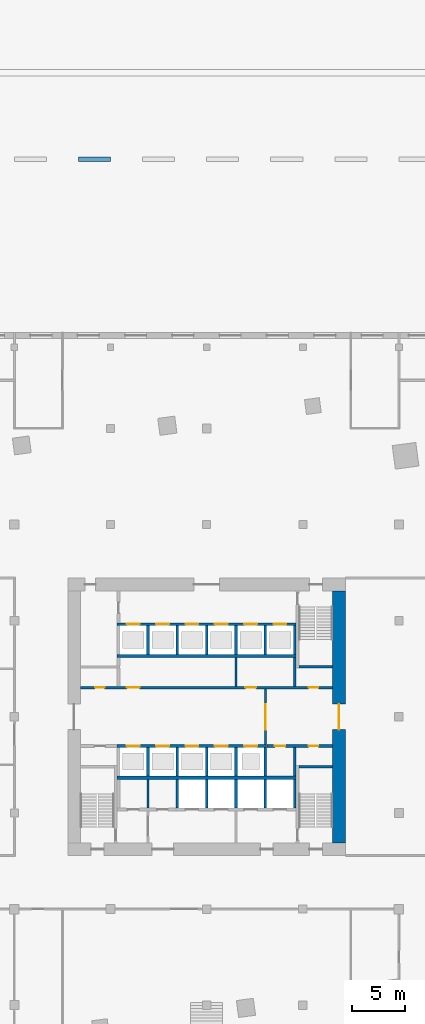
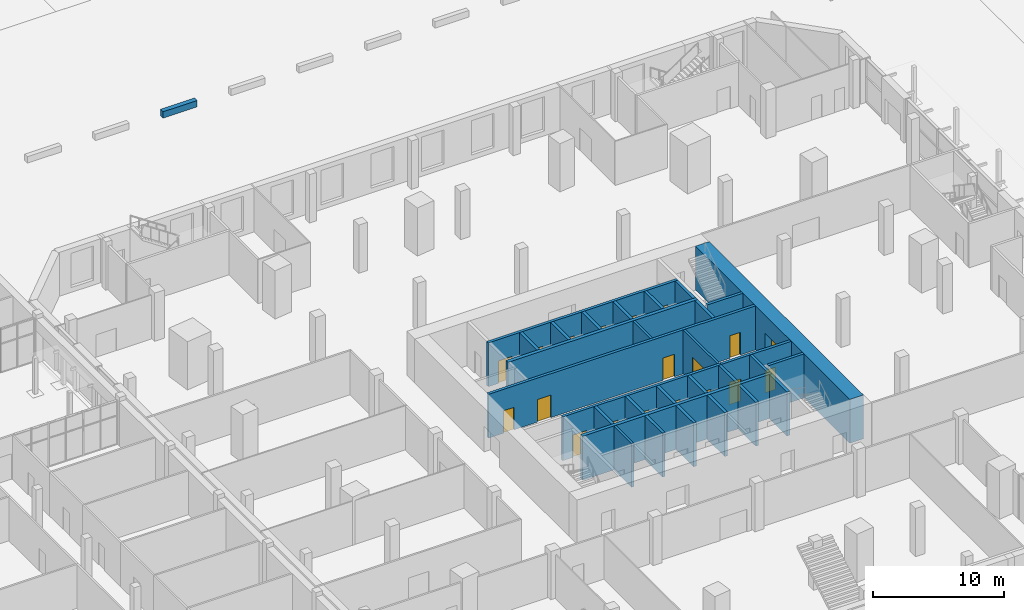
# One storey, part 31 of 42: 31 walls, 19 doors, 19 openings.
"""IFC4 building model written with IfcOpenShell, lengths in metres."""

from ifc_helpers import new_model, si_unit, direction, frame, frame_2d, origin, place, context, subcontext, project, spatial, rectangle, extrude, material, layer, layer_set, type_object, element, fill, save


model = new_model("IFC4")

# Units and contexts
model_context = context("Model", 3, precision=1e-05, world=origin(), true_north=direction((0.0, 1.0)))
body_context = subcontext(model_context, "Body", "Model", "MODEL_VIEW")
ifc_project = project(units=[si_unit("LENGTHUNIT", "METRE"), si_unit("AREAUNIT", "SQUARE_METRE"), si_unit("VOLUMEUNIT", "CUBIC_METRE"), si_unit("PLANEANGLEUNIT", "RADIAN"), si_unit("MASSUNIT", "GRAM", prefix="KILO")], contexts=[model_context])

# Site, building, storey
site_placement = place(None, origin())
site = spatial("IfcSite", under=ifc_project, at=site_placement, CompositionType="ELEMENT")
building_placement = place(site_placement, origin())
building = spatial("IfcBuilding", under=site, at=building_placement, Name="Dilmun Exchange Tower", CompositionType="ELEMENT")
storey_placement = place(building_placement, origin())
storey = spatial("IfcBuildingStorey", under=building, at=storey_placement, Name="L00", CompositionType="ELEMENT", Elevation=0.0)

# Wall
ifc_material_1 = material(Name="Concrete C40/50", Category="concrete")
ifc_layer_1 = layer(ifc_material_1, 0.199951171875)
ifc_layer_set_1 = layer_set([ifc_layer_1], Name="Concrete C40/50")
wall_type_1 = type_object("IfcWallType", Name="Core partition wall 200", PredefinedType="PARTITIONING", material=ifc_layer_set_1)
wall_1_placement = place(storey_placement, frame((-5.5, -8.544921875, 0.0), z_axis=(0.0, 0.0, 1.0), x_axis=(0.0, 1.0, 0.0)))
element("IfcWall", 1, at=wall_1_placement, inside=storey, type_object=wall_type_1, Name="L00 core partition wall 05", PredefinedType="PARTITIONING", context=body_context, shape_type="SweptSolid", body=[
    extrude(rectangle(XDim=2.68994140625, YDim=0.199951171875, at=frame_2d((1.344970703125, 0.0))), origin(), (0.0, 0.0, 1.0), 4.10009765625),
])

# Wall, opening, door
wall_2_placement = place(storey_placement, frame((5.5, -2.594970703125, 0.0), z_axis=(0.0, 0.0, 1.0), x_axis=(0.0, 1.0, 0.0)))
wall_2 = element("IfcWall", 2, at=wall_2_placement, inside=storey, type_object=wall_type_1, Name="L00 core partition wall 09", PredefinedType="PARTITIONING", context=body_context, shape_type="SweptSolid", body=[
    extrude(rectangle(XDim=5.18994140625, YDim=0.199951171875, at=frame_2d((2.594970703125, 0.0))), origin(), (0.0, 0.0, 1.0), 4.10009765625),
])
opening_1_placement = place(wall_2_placement, frame((1.39501953125, 0.0, 0.0)))
opening_1 = element("IfcOpeningElement", 3, at=opening_1_placement, cuts=wall_2, Name="Opening CD1", PredefinedType="OPENING", context=body_context, shape_type="SweptSolid", body=[
    extrude(rectangle(XDim=2.39990234375, YDim=2.39990234375, at=frame_2d((1.199951171875, 1.199951171875))), frame((0.0, 0.10986328125, 0.0), z_axis=(0.0, -1.0, 0.0), x_axis=(1.0, 0.0, 0.0)), (0.0, 0.0, 1.0), 0.219970703125),
])
ifc_material_2 = material(Name="Fire-rated steel door set", Category="steel")
door_type_1 = type_object("IfcDoorType", Name="Core lobby door 2400x2400", OperationType="DOUBLE_DOOR_DOUBLE_SWING", PredefinedType="DOOR", material=ifc_material_2)
door_1_placement = place(opening_1_placement, origin())
door_1 = element("IfcDoor", 4, at=door_1_placement, inside=storey, type_object=door_type_1, Name="L00 door Lift lobby east", OperationType="SINGLE_SWING_LEFT", OverallHeight=2.39990234375, OverallWidth=2.39990234375, PredefinedType="DOOR", context=body_context, shape_type="SweptSolid", body=[
    extrude(rectangle(XDim=2.39990234375, YDim=2.39990234375, at=frame_2d((1.199951171875, 1.199951171875))), frame((0.0, 0.02490234375, 0.0), z_axis=(0.0, -1.0, 0.0), x_axis=(1.0, 0.0, 0.0)), (0.0, 0.0, 1.0), 0.050048828125),
])
fill(opening_1, door_1)

# Walls
wall_3_placement = place(storey_placement, frame((2.75, 2.85498046875, 0.0), z_axis=(0.0, 0.0, 1.0), x_axis=(0.0, 1.0, 0.0)))
element("IfcWall", 5, at=wall_3_placement, inside=storey, type_object=wall_type_1, Name="L00 core partition wall 12", PredefinedType="PARTITIONING", context=body_context, shape_type="SweptSolid", body=[
    extrude(rectangle(XDim=2.68994140625, YDim=0.199951171875, at=frame_2d((1.344970703125, 0.0))), origin(), (0.0, 0.0, 1.0), 4.10009765625),
])
ifc_layer_2 = layer(ifc_material_1, 0.25)
ifc_layer_set_2 = layer_set([ifc_layer_2], Name="Concrete C40/50")
wall_type_2 = type_object("IfcWallType", Name="Core partition wall 250", PredefinedType="PARTITIONING", material=ifc_layer_set_2)
wall_4_placement = place(storey_placement, frame((8.25, -5.544921875, 0.0), z_axis=(0.0, 0.0, 1.0), x_axis=(0.0, 1.0, 0.0)))
element("IfcWall", 6, at=wall_4_placement, inside=storey, type_object=wall_type_2, Name="L00 core partition wall 06", PredefinedType="PARTITIONING", context=body_context, shape_type="SweptSolid", body=[
    extrude(rectangle(XDim=2.68994140625, YDim=0.25, at=frame_2d((1.344970703125, 0.0))), origin(), (0.0, 0.0, 1.0), 4.10009765625),
])

# Wall, openings, doors
wall_5_placement = place(storey_placement, frame((5.6298828125, -2.72509765625, 0.0), z_axis=(0.0, 0.0, 1.0), x_axis=(1.0, 0.0, 0.0)))
wall_5 = element("IfcWall", 7, at=wall_5_placement, inside=storey, type_object=wall_type_2, Name="L00 core partition wall 08", PredefinedType="PARTITIONING", context=body_context, shape_type="SweptSolid", body=[
    extrude(rectangle(XDim=6.1650390625, YDim=0.25, at=frame_2d((3.08251953125, 0.0))), origin(), (0.0, 0.0, 1.0), 4.10009765625),
])
opening_2_placement = place(wall_5_placement, frame((0.7451171875, 0.0, 0.0)))
opening_2 = element("IfcOpeningElement", 8, at=opening_2_placement, cuts=wall_5, Name="Opening CD4", PredefinedType="OPENING", context=body_context, shape_type="SweptSolid", body=[
    extrude(rectangle(XDim=1.0, YDim=2.10009765625, at=frame_2d((0.5, 1.050048828125))), frame((0.0, 0.135009765625, 0.0), z_axis=(0.0, -1.0, 0.0), x_axis=(1.0, 0.0, 0.0)), (0.0, 0.0, 1.0), 0.27001953125),
])
opening_3_placement = place(wall_5_placement, frame((3.919921875, 0.0, 0.0)))
opening_3 = element("IfcOpeningElement", 9, at=opening_3_placement, cuts=wall_5, Name="Opening CD6", PredefinedType="OPENING", context=body_context, shape_type="SweptSolid", body=[
    extrude(rectangle(XDim=0.89990234375, YDim=2.10009765625, at=frame_2d((0.449951171875, 1.050048828125))), frame((0.0, 0.135009765625, 0.0), z_axis=(0.0, -1.0, 0.0), x_axis=(1.0, 0.0, 0.0)), (0.0, 0.0, 1.0), 0.27001953125),
])
door_type_2 = type_object("IfcDoorType", Name="Core room door 1000x2100", OperationType="SINGLE_SWING_LEFT", PredefinedType="DOOR", material=ifc_material_2)
door_2_placement = place(opening_2_placement, origin())
door_2 = element("IfcDoor", 10, at=door_2_placement, inside=storey, type_object=door_type_2, Name="L00 door Cleaners' store", OperationType="SINGLE_SWING_LEFT", OverallHeight=2.10009765625, OverallWidth=1.0, PredefinedType="DOOR", context=body_context, shape_type="SweptSolid", body=[
    extrude(rectangle(XDim=1.0, YDim=2.10009765625, at=frame_2d((0.5, 1.050048828125))), frame((0.0, 0.02490234375, 0.0), z_axis=(0.0, -1.0, 0.0), x_axis=(1.0, 0.0, 0.0)), (0.0, 0.0, 1.0), 0.050048828125),
])
fill(opening_2, door_2)
door_type_3 = type_object("IfcDoorType", Name="Core room door 900x2100", OperationType="SINGLE_SWING_LEFT", PredefinedType="DOOR", material=ifc_material_2)
door_3_placement = place(opening_3_placement, origin())
door_3 = element("IfcDoor", 11, at=door_3_placement, inside=storey, type_object=door_type_3, Name="L00 door Comms riser", OperationType="SINGLE_SWING_LEFT", OverallHeight=2.10009765625, OverallWidth=0.89990234375, PredefinedType="DOOR", context=body_context, shape_type="SweptSolid", body=[
    extrude(rectangle(XDim=0.89990234375, YDim=2.10009765625, at=frame_2d((0.449951171875, 1.050048828125))), frame((0.0, 0.02490234375, 0.0), z_axis=(0.0, -1.0, 0.0), x_axis=(1.0, 0.0, 0.0)), (0.0, 0.0, 1.0), 0.050048828125),
])
fill(opening_3, door_3)

wall_6_placement = place(storey_placement, frame((-11.794921875, 2.72509765625, 0.0), z_axis=(0.0, 0.0, 1.0), x_axis=(1.0, 0.0, 0.0)))
wall_6 = element("IfcWall", 12, at=wall_6_placement, inside=storey, type_object=wall_type_2, Name="L00 core partition wall 10", PredefinedType="PARTITIONING", context=body_context, shape_type="SweptSolid", body=[
    extrude(rectangle(XDim=23.58984375, YDim=0.25, at=frame_2d((11.794921875, 0.0))), origin(), (0.0, 0.0, 1.0), 4.10009765625),
])
opening_4_placement = place(wall_6_placement, frame((21.344970703125, 0.0, 0.0)))
opening_4 = element("IfcOpeningElement", 13, at=opening_4_placement, cuts=wall_6, Name="Opening CD6", PredefinedType="OPENING", context=body_context, shape_type="SweptSolid", body=[
    extrude(rectangle(XDim=0.89990234375, YDim=2.10009765625, at=frame_2d((0.449951171875, 1.050048828125))), frame((0.0, 0.135009765625, 0.0), z_axis=(0.0, -1.0, 0.0), x_axis=(1.0, 0.0, 0.0)), (0.0, 0.0, 1.0), 0.27001953125),
])
opening_5_placement = place(wall_6_placement, frame((1.344970703125, 0.0, 0.0)))
opening_5 = element("IfcOpeningElement", 14, at=opening_5_placement, cuts=wall_6, Name="Opening CD6", PredefinedType="OPENING", context=body_context, shape_type="SweptSolid", body=[
    extrude(rectangle(XDim=0.89990234375, YDim=2.10009765625, at=frame_2d((0.449951171875, 1.050048828125))), frame((0.0, 0.135009765625, 0.0), z_axis=(0.0, -1.0, 0.0), x_axis=(1.0, 0.0, 0.0)), (0.0, 0.0, 1.0), 0.27001953125),
])
opening_6_placement = place(wall_6_placement, frame((4.320068359375, 0.0, 0.0)))
opening_6 = element("IfcOpeningElement", 15, at=opening_6_placement, cuts=wall_6, Name="Opening CD3", PredefinedType="OPENING", context=body_context, shape_type="SweptSolid", body=[
    extrude(rectangle(XDim=1.199951171875, YDim=2.10009765625, at=frame_2d((0.60009765625, 1.050048828125))), frame((0.0, 0.135009765625, 0.0), z_axis=(0.0, -1.0, 0.0), x_axis=(1.0, 0.0, 0.0)), (0.0, 0.0, 1.0), 0.27001953125),
])
opening_7_placement = place(wall_6_placement, frame((15.419921875, 0.0, 0.0)))
opening_7 = element("IfcOpeningElement", 16, at=opening_7_placement, cuts=wall_6, Name="Opening CD4", PredefinedType="OPENING", context=body_context, shape_type="SweptSolid", body=[
    extrude(rectangle(XDim=1.0, YDim=2.10009765625, at=frame_2d((0.5, 1.050048828125))), frame((0.0, 0.135009765625, 0.0), z_axis=(0.0, -1.0, 0.0), x_axis=(1.0, 0.0, 0.0)), (0.0, 0.0, 1.0), 0.27001953125),
])
door_4_placement = place(opening_7_placement, origin())
door_4 = element("IfcDoor", 17, at=door_4_placement, inside=storey, type_object=door_type_2, Name="L00 door Switch room", OperationType="SINGLE_SWING_LEFT", OverallHeight=2.10009765625, OverallWidth=1.0, PredefinedType="DOOR", context=body_context, shape_type="SweptSolid", body=[
    extrude(rectangle(XDim=1.0, YDim=2.10009765625, at=frame_2d((0.5, 1.050048828125))), frame((0.0, 0.02490234375, 0.0), z_axis=(0.0, -1.0, 0.0), x_axis=(1.0, 0.0, 0.0)), (0.0, 0.0, 1.0), 0.050048828125),
])
fill(opening_7, door_4)
door_5_placement = place(opening_4_placement, origin())
door_5 = element("IfcDoor", 18, at=door_5_placement, inside=storey, type_object=door_type_3, Name="L00 door Electrical riser", OperationType="SINGLE_SWING_LEFT", OverallHeight=2.10009765625, OverallWidth=0.89990234375, PredefinedType="DOOR", context=body_context, shape_type="SweptSolid", body=[
    extrude(rectangle(XDim=0.89990234375, YDim=2.10009765625, at=frame_2d((0.449951171875, 1.050048828125))), frame((0.0, 0.02490234375, 0.0), z_axis=(0.0, -1.0, 0.0), x_axis=(1.0, 0.0, 0.0)), (0.0, 0.0, 1.0), 0.050048828125),
])
fill(opening_4, door_5)
door_6_placement = place(opening_5_placement, origin())
door_6 = element("IfcDoor", 19, at=door_6_placement, inside=storey, type_object=door_type_3, Name="L00 door Plumbing riser", OperationType="SINGLE_SWING_LEFT", OverallHeight=2.10009765625, OverallWidth=0.89990234375, PredefinedType="DOOR", context=body_context, shape_type="SweptSolid", body=[
    extrude(rectangle(XDim=0.89990234375, YDim=2.10009765625, at=frame_2d((0.449951171875, 1.050048828125))), frame((0.0, 0.02490234375, 0.0), z_axis=(0.0, -1.0, 0.0), x_axis=(1.0, 0.0, 0.0)), (0.0, 0.0, 1.0), 0.050048828125),
])
fill(opening_5, door_6)
door_type_4 = type_object("IfcDoorType", Name="Stair exit door 1200x2100", OperationType="SINGLE_SWING_LEFT", PredefinedType="DOOR", material=ifc_material_2)
door_7_placement = place(opening_6_placement, origin())
door_7 = element("IfcDoor", 20, at=door_7_placement, inside=storey, type_object=door_type_4, Name="L00 door Tenant amenity store", OperationType="SINGLE_SWING_LEFT", OverallHeight=2.10009765625, OverallWidth=1.199951171875, PredefinedType="DOOR", context=body_context, shape_type="SweptSolid", body=[
    extrude(rectangle(XDim=1.199951171875, YDim=2.10009765625, at=frame_2d((0.60009765625, 1.050048828125))), frame((0.0, 0.02490234375, 0.0), z_axis=(0.0, -1.0, 0.0), x_axis=(1.0, 0.0, 0.0)), (0.0, 0.0, 1.0), 0.050048828125),
])
fill(opening_6, door_7)

# Wall
wall_7_placement = place(storey_placement, frame((8.25, 2.85498046875, 0.0), z_axis=(0.0, 0.0, 1.0), x_axis=(0.0, 1.0, 0.0)))
element("IfcWall", 21, at=wall_7_placement, inside=storey, type_object=wall_type_2, Name="L00 core partition wall 13", PredefinedType="PARTITIONING", context=body_context, shape_type="SweptSolid", body=[
    extrude(rectangle(XDim=2.68994140625, YDim=0.25, at=frame_2d((1.344970703125, 0.0))), origin(), (0.0, 0.0, 1.0), 4.10009765625),
])

# Wall, opening, door
ifc_material_3 = material(Name="Concrete C80/95", Category="concrete")
ifc_layer_3 = layer(ifc_material_3, 1.199951171875)
ifc_layer_set_3 = layer_set([ifc_layer_3], Name="Concrete C80/95")
wall_type_3 = type_object("IfcWallType", Name="Core shear wall 1200 Concrete C80/95", PredefinedType="SHEAR", material=ifc_layer_set_3)
wall_8_placement = place(storey_placement, frame((12.39990234375, -11.800048828125, 0.0), z_axis=(0.0, 0.0, 1.0), x_axis=(0.0, 1.0, 0.0)))
wall_8 = element("IfcWall", 22, at=wall_8_placement, inside=storey, type_object=wall_type_3, Name="L00 core shear wall E", PredefinedType="SHEAR", context=body_context, shape_type="SweptSolid", body=[
    extrude(rectangle(XDim=23.60009765625, YDim=1.199951171875, at=frame_2d((11.800048828125, 0.0))), origin(), (0.0, 0.0, 1.0), 4.10009765625),
])
opening_8_placement = place(wall_8_placement, frame((10.60009765625, 0.0, 0.0)))
opening_8 = element("IfcOpeningElement", 23, at=opening_8_placement, cuts=wall_8, Name="Opening CD1", PredefinedType="OPENING", context=body_context, shape_type="SweptSolid", body=[
    extrude(rectangle(XDim=2.39990234375, YDim=2.39990234375, at=frame_2d((1.199951171875, 1.199951171875))), frame((0.0, 0.60986328125, 0.0), z_axis=(0.0, -1.0, 0.0), x_axis=(1.0, 0.0, 0.0)), (0.0, 0.0, 1.0), 1.219970703125),
])
door_8_placement = place(opening_8_placement, origin())
door_8 = element("IfcDoor", 24, at=door_8_placement, inside=storey, type_object=door_type_1, Name="L00 door Central lift lobby", OperationType="SINGLE_SWING_LEFT", OverallHeight=2.39990234375, OverallWidth=2.39990234375, PredefinedType="DOOR", context=body_context, shape_type="SweptSolid", body=[
    extrude(rectangle(XDim=2.39990234375, YDim=2.39990234375, at=frame_2d((1.199951171875, 1.199951171875))), frame((0.0, 0.02490234375, 0.0), z_axis=(0.0, -1.0, 0.0), x_axis=(1.0, 0.0, 0.0)), (0.0, 0.0, 1.0), 0.050048828125),
])
fill(opening_8, door_8)

# Walls
ifc_layer_4 = layer(ifc_material_1, 0.300048828125)
ifc_layer_set_4 = layer_set([ifc_layer_4], Name="Concrete C40/50")
wall_type_4 = type_object("IfcWallType", Name="Lift shaft shared wall 300", PredefinedType="SOLIDWALL", material=ifc_layer_set_4)
for number, where, z_axis, x_axis, name in (
    (25, (-8.375, 5.699951171875, 0.0), (0.0, 0.0, 1.0), (1.0, 0.0, 0.0), "L00 lift shaft rear wall N"),
    (26, (-8.375, -5.699951171875, 0.0), (0.0, 0.0, 1.0), (1.0, 0.0, 0.0), "L00 lift shaft rear wall S"),
):
    element("IfcWall", number, at=place(storey_placement, frame(where, z_axis=z_axis, x_axis=x_axis)), inside=storey, type_object=wall_type_4, Name=name, PredefinedType="SOLIDWALL", context=body_context, shape_type="SweptSolid", body=[
        extrude(rectangle(XDim=16.75, YDim=0.300048828125, at=frame_2d((8.375, 0.0))), origin(), (0.0, 0.0, 1.0), 4.10009765625),
    ])

# Wall, openings, doors
ifc_layer_5 = layer(ifc_material_1, 0.25)
ifc_layer_set_5 = layer_set([ifc_layer_5], Name="Concrete C40/50")
wall_type_5 = type_object("IfcWallType", Name="Lift shaft wall 250", PredefinedType="SOLIDWALL", material=ifc_layer_set_5)
wall_9_placement = place(storey_placement, frame((-8.375, 8.675048828125, 0.0), z_axis=(0.0, 0.0, 1.0), x_axis=(1.0, 0.0, 0.0)))
wall_9 = element("IfcWall", 27, at=wall_9_placement, inside=storey, type_object=wall_type_5, Name="L00 lift shaft front wall N2", PredefinedType="SOLIDWALL", context=body_context, shape_type="SweptSolid", body=[
    extrude(rectangle(XDim=16.75, YDim=0.25, at=frame_2d((8.375, 0.0))), origin(), (0.0, 0.0, 1.0), 4.10009765625),
])
opening_9_placement = place(wall_9_placement, frame((0.89990234375, 0.0, 0.0)))
opening_9 = element("IfcOpeningElement", 28, at=opening_9_placement, cuts=wall_9, Name="Opening LD", PredefinedType="OPENING", context=body_context, shape_type="SweptSolid", body=[
    extrude(rectangle(XDim=1.199951171875, YDim=2.10009765625, at=frame_2d((0.60009765625, 1.050048828125))), frame((0.0, 0.135009765625, 0.0), z_axis=(0.0, -1.0, 0.0), x_axis=(1.0, 0.0, 0.0)), (0.0, 0.0, 1.0), 0.27001953125),
])
opening_10_placement = place(wall_9_placement, frame((3.64990234375, 0.0, 0.0)))
opening_10 = element("IfcOpeningElement", 29, at=opening_10_placement, cuts=wall_9, Name="Opening LD", PredefinedType="OPENING", context=body_context, shape_type="SweptSolid", body=[
    extrude(rectangle(XDim=1.199951171875, YDim=2.10009765625, at=frame_2d((0.60009765625, 1.050048828125))), frame((0.0, 0.135009765625, 0.0), z_axis=(0.0, -1.0, 0.0), x_axis=(1.0, 0.0, 0.0)), (0.0, 0.0, 1.0), 0.27001953125),
])
opening_11_placement = place(wall_9_placement, frame((6.39990234375, 0.0, 0.0)))
opening_11 = element("IfcOpeningElement", 30, at=opening_11_placement, cuts=wall_9, Name="Opening LD", PredefinedType="OPENING", context=body_context, shape_type="SweptSolid", body=[
    extrude(rectangle(XDim=1.199951171875, YDim=2.10009765625, at=frame_2d((0.60009765625, 1.050048828125))), frame((0.0, 0.135009765625, 0.0), z_axis=(0.0, -1.0, 0.0), x_axis=(1.0, 0.0, 0.0)), (0.0, 0.0, 1.0), 0.27001953125),
])
opening_12_placement = place(wall_9_placement, frame((9.14990234375, 0.0, 0.0)))
opening_12 = element("IfcOpeningElement", 31, at=opening_12_placement, cuts=wall_9, Name="Opening LD", PredefinedType="OPENING", context=body_context, shape_type="SweptSolid", body=[
    extrude(rectangle(XDim=1.199951171875, YDim=2.10009765625, at=frame_2d((0.60009765625, 1.050048828125))), frame((0.0, 0.135009765625, 0.0), z_axis=(0.0, -1.0, 0.0), x_axis=(1.0, 0.0, 0.0)), (0.0, 0.0, 1.0), 0.27001953125),
])
opening_13_placement = place(wall_9_placement, frame((11.89990234375, 0.0, 0.0)))
opening_13 = element("IfcOpeningElement", 32, at=opening_13_placement, cuts=wall_9, Name="Opening LD", PredefinedType="OPENING", context=body_context, shape_type="SweptSolid", body=[
    extrude(rectangle(XDim=1.199951171875, YDim=2.10009765625, at=frame_2d((0.60009765625, 1.050048828125))), frame((0.0, 0.135009765625, 0.0), z_axis=(0.0, -1.0, 0.0), x_axis=(1.0, 0.0, 0.0)), (0.0, 0.0, 1.0), 0.27001953125),
])
opening_14_placement = place(wall_9_placement, frame((14.64990234375, 0.0, 0.0)))
opening_14 = element("IfcOpeningElement", 33, at=opening_14_placement, cuts=wall_9, Name="Opening LD", PredefinedType="OPENING", context=body_context, shape_type="SweptSolid", body=[
    extrude(rectangle(XDim=1.199951171875, YDim=2.10009765625, at=frame_2d((0.60009765625, 1.050048828125))), frame((0.0, 0.135009765625, 0.0), z_axis=(0.0, -1.0, 0.0), x_axis=(1.0, 0.0, 0.0)), (0.0, 0.0, 1.0), 0.27001953125),
])
door_type_5 = type_object("IfcDoorType", Name="Lift landing door 1200x2100", OperationType="DOUBLE_DOOR_SLIDING", PredefinedType="DOOR", material=ifc_material_2)
door_9_placement = place(opening_9_placement, origin())
door_9 = element("IfcDoor", 34, at=door_9_placement, inside=storey, type_object=door_type_5, Name="L00 landing door LR1", OperationType="DOUBLE_DOOR_SLIDING", OverallHeight=2.10009765625, OverallWidth=1.199951171875, PredefinedType="DOOR", context=body_context, shape_type="SweptSolid", body=[
    extrude(rectangle(XDim=1.199951171875, YDim=2.10009765625, at=frame_2d((0.60009765625, 1.050048828125))), frame((0.0, 0.02490234375, 0.0), z_axis=(0.0, -1.0, 0.0), x_axis=(1.0, 0.0, 0.0)), (0.0, 0.0, 1.0), 0.050048828125),
])
fill(opening_9, door_9)
door_10_placement = place(opening_10_placement, origin())
door_10 = element("IfcDoor", 35, at=door_10_placement, inside=storey, type_object=door_type_5, Name="L00 landing door LR2", OperationType="DOUBLE_DOOR_SLIDING", OverallHeight=2.10009765625, OverallWidth=1.199951171875, PredefinedType="DOOR", context=body_context, shape_type="SweptSolid", body=[
    extrude(rectangle(XDim=1.199951171875, YDim=2.10009765625, at=frame_2d((0.60009765625, 1.050048828125))), frame((0.0, 0.02490234375, 0.0), z_axis=(0.0, -1.0, 0.0), x_axis=(1.0, 0.0, 0.0)), (0.0, 0.0, 1.0), 0.050048828125),
])
fill(opening_10, door_10)
door_11_placement = place(opening_11_placement, origin())
door_11 = element("IfcDoor", 36, at=door_11_placement, inside=storey, type_object=door_type_5, Name="L00 landing door LR3", OperationType="DOUBLE_DOOR_SLIDING", OverallHeight=2.10009765625, OverallWidth=1.199951171875, PredefinedType="DOOR", context=body_context, shape_type="SweptSolid", body=[
    extrude(rectangle(XDim=1.199951171875, YDim=2.10009765625, at=frame_2d((0.60009765625, 1.050048828125))), frame((0.0, 0.02490234375, 0.0), z_axis=(0.0, -1.0, 0.0), x_axis=(1.0, 0.0, 0.0)), (0.0, 0.0, 1.0), 0.050048828125),
])
fill(opening_11, door_11)
door_12_placement = place(opening_12_placement, origin())
door_12 = element("IfcDoor", 37, at=door_12_placement, inside=storey, type_object=door_type_5, Name="L00 landing door LR4", OperationType="DOUBLE_DOOR_SLIDING", OverallHeight=2.10009765625, OverallWidth=1.199951171875, PredefinedType="DOOR", context=body_context, shape_type="SweptSolid", body=[
    extrude(rectangle(XDim=1.199951171875, YDim=2.10009765625, at=frame_2d((0.60009765625, 1.050048828125))), frame((0.0, 0.02490234375, 0.0), z_axis=(0.0, -1.0, 0.0), x_axis=(1.0, 0.0, 0.0)), (0.0, 0.0, 1.0), 0.050048828125),
])
fill(opening_12, door_12)
door_13_placement = place(opening_13_placement, origin())
door_13 = element("IfcDoor", 38, at=door_13_placement, inside=storey, type_object=door_type_5, Name="L00 landing door LR5", OperationType="DOUBLE_DOOR_SLIDING", OverallHeight=2.10009765625, OverallWidth=1.199951171875, PredefinedType="DOOR", context=body_context, shape_type="SweptSolid", body=[
    extrude(rectangle(XDim=1.199951171875, YDim=2.10009765625, at=frame_2d((0.60009765625, 1.050048828125))), frame((0.0, 0.02490234375, 0.0), z_axis=(0.0, -1.0, 0.0), x_axis=(1.0, 0.0, 0.0)), (0.0, 0.0, 1.0), 0.050048828125),
])
fill(opening_13, door_13)
door_14_placement = place(opening_14_placement, origin())
door_14 = element("IfcDoor", 39, at=door_14_placement, inside=storey, type_object=door_type_5, Name="L00 landing door LR6", OperationType="DOUBLE_DOOR_SLIDING", OverallHeight=2.10009765625, OverallWidth=1.199951171875, PredefinedType="DOOR", context=body_context, shape_type="SweptSolid", body=[
    extrude(rectangle(XDim=1.199951171875, YDim=2.10009765625, at=frame_2d((0.60009765625, 1.050048828125))), frame((0.0, 0.02490234375, 0.0), z_axis=(0.0, -1.0, 0.0), x_axis=(1.0, 0.0, 0.0)), (0.0, 0.0, 1.0), 0.050048828125),
])
fill(opening_14, door_14)

# Walls
for number, where, z_axis, x_axis, name in (
    (40, (-5.5, 5.85009765625, 0.0), (0.0, 0.0, 1.0), (0.0, 1.0, 0.0), "L00 lift shaft divider N21"),
    (41, (-2.75, 5.85009765625, 0.0), (0.0, 0.0, 1.0), (0.0, 1.0, 0.0), "L00 lift shaft divider N22"),
    (42, (0.0, 5.85009765625, 0.0), (0.0, 0.0, 1.0), (0.0, 1.0, 0.0), "L00 lift shaft divider N23"),
    (43, (2.75, 5.85009765625, 0.0), (0.0, 0.0, 1.0), (0.0, 1.0, 0.0), "L00 lift shaft divider N24"),
    (44, (5.5, 5.85009765625, 0.0), (0.0, 0.0, 1.0), (0.0, 1.0, 0.0), "L00 lift shaft divider N25"),
    (45, (8.25, 5.85009765625, 0.0), (0.0, 0.0, 1.0), (0.0, 1.0, 0.0), "L00 lift shaft divider N26"),
):
    element("IfcWall", number, at=place(storey_placement, frame(where, z_axis=z_axis, x_axis=x_axis)), inside=storey, type_object=wall_type_5, Name=name, PredefinedType="SOLIDWALL", context=body_context, shape_type="SweptSolid", body=[
        extrude(rectangle(XDim=2.699951171875, YDim=0.25, at=frame_2d((1.35009765625, 0.0))), origin(), (0.0, 0.0, 1.0), 4.10009765625),
    ])

# Wall, openings, doors
wall_10_placement = place(storey_placement, frame((-8.375, -2.72509765625, 0.0), z_axis=(0.0, 0.0, 1.0), x_axis=(1.0, 0.0, 0.0)))
wall_10 = element("IfcWall", 46, at=wall_10_placement, inside=storey, type_object=wall_type_5, Name="L00 lift shaft front wall S1", PredefinedType="SOLIDWALL", context=body_context, shape_type="SweptSolid", body=[
    extrude(rectangle(XDim=14.0, YDim=0.25, at=frame_2d((7.0, 0.0))), origin(), (0.0, 0.0, 1.0), 4.10009765625),
])
opening_15_placement = place(wall_10_placement, frame((0.89990234375, 0.0, 0.0)))
opening_15 = element("IfcOpeningElement", 47, at=opening_15_placement, cuts=wall_10, Name="Opening LD", PredefinedType="OPENING", context=body_context, shape_type="SweptSolid", body=[
    extrude(rectangle(XDim=1.199951171875, YDim=2.10009765625, at=frame_2d((0.60009765625, 1.050048828125))), frame((0.0, 0.135009765625, 0.0), z_axis=(0.0, -1.0, 0.0), x_axis=(1.0, 0.0, 0.0)), (0.0, 0.0, 1.0), 0.27001953125),
])
opening_16_placement = place(wall_10_placement, frame((3.64990234375, 0.0, 0.0)))
opening_16 = element("IfcOpeningElement", 48, at=opening_16_placement, cuts=wall_10, Name="Opening LD", PredefinedType="OPENING", context=body_context, shape_type="SweptSolid", body=[
    extrude(rectangle(XDim=1.199951171875, YDim=2.10009765625, at=frame_2d((0.60009765625, 1.050048828125))), frame((0.0, 0.135009765625, 0.0), z_axis=(0.0, -1.0, 0.0), x_axis=(1.0, 0.0, 0.0)), (0.0, 0.0, 1.0), 0.27001953125),
])
opening_17_placement = place(wall_10_placement, frame((6.39990234375, 0.0, 0.0)))
opening_17 = element("IfcOpeningElement", 49, at=opening_17_placement, cuts=wall_10, Name="Opening LD", PredefinedType="OPENING", context=body_context, shape_type="SweptSolid", body=[
    extrude(rectangle(XDim=1.199951171875, YDim=2.10009765625, at=frame_2d((0.60009765625, 1.050048828125))), frame((0.0, 0.135009765625, 0.0), z_axis=(0.0, -1.0, 0.0), x_axis=(1.0, 0.0, 0.0)), (0.0, 0.0, 1.0), 0.27001953125),
])
opening_18_placement = place(wall_10_placement, frame((9.14990234375, 0.0, 0.0)))
opening_18 = element("IfcOpeningElement", 50, at=opening_18_placement, cuts=wall_10, Name="Opening LD", PredefinedType="OPENING", context=body_context, shape_type="SweptSolid", body=[
    extrude(rectangle(XDim=1.199951171875, YDim=2.10009765625, at=frame_2d((0.60009765625, 1.050048828125))), frame((0.0, 0.135009765625, 0.0), z_axis=(0.0, -1.0, 0.0), x_axis=(1.0, 0.0, 0.0)), (0.0, 0.0, 1.0), 0.27001953125),
])
opening_19_placement = place(wall_10_placement, frame((11.89990234375, 0.0, 0.0)))
opening_19 = element("IfcOpeningElement", 51, at=opening_19_placement, cuts=wall_10, Name="Opening LD", PredefinedType="OPENING", context=body_context, shape_type="SweptSolid", body=[
    extrude(rectangle(XDim=1.199951171875, YDim=2.10009765625, at=frame_2d((0.60009765625, 1.050048828125))), frame((0.0, 0.135009765625, 0.0), z_axis=(0.0, -1.0, 0.0), x_axis=(1.0, 0.0, 0.0)), (0.0, 0.0, 1.0), 0.27001953125),
])
door_15_placement = place(opening_15_placement, origin())
door_15 = element("IfcDoor", 52, at=door_15_placement, inside=storey, type_object=door_type_5, Name="L00 landing door SH30-1", OperationType="DOUBLE_DOOR_SLIDING", OverallHeight=2.10009765625, OverallWidth=1.199951171875, PredefinedType="DOOR", context=body_context, shape_type="SweptSolid", body=[
    extrude(rectangle(XDim=1.199951171875, YDim=2.10009765625, at=frame_2d((0.60009765625, 1.050048828125))), frame((0.0, 0.02490234375, 0.0), z_axis=(0.0, -1.0, 0.0), x_axis=(1.0, 0.0, 0.0)), (0.0, 0.0, 1.0), 0.050048828125),
])
fill(opening_15, door_15)
door_16_placement = place(opening_16_placement, origin())
door_16 = element("IfcDoor", 53, at=door_16_placement, inside=storey, type_object=door_type_5, Name="L00 landing door SH30-2", OperationType="DOUBLE_DOOR_SLIDING", OverallHeight=2.10009765625, OverallWidth=1.199951171875, PredefinedType="DOOR", context=body_context, shape_type="SweptSolid", body=[
    extrude(rectangle(XDim=1.199951171875, YDim=2.10009765625, at=frame_2d((0.60009765625, 1.050048828125))), frame((0.0, 0.02490234375, 0.0), z_axis=(0.0, -1.0, 0.0), x_axis=(1.0, 0.0, 0.0)), (0.0, 0.0, 1.0), 0.050048828125),
])
fill(opening_16, door_16)
door_17_placement = place(opening_17_placement, origin())
door_17 = element("IfcDoor", 54, at=door_17_placement, inside=storey, type_object=door_type_5, Name="L00 landing door SH56-1", OperationType="DOUBLE_DOOR_SLIDING", OverallHeight=2.10009765625, OverallWidth=1.199951171875, PredefinedType="DOOR", context=body_context, shape_type="SweptSolid", body=[
    extrude(rectangle(XDim=1.199951171875, YDim=2.10009765625, at=frame_2d((0.60009765625, 1.050048828125))), frame((0.0, 0.02490234375, 0.0), z_axis=(0.0, -1.0, 0.0), x_axis=(1.0, 0.0, 0.0)), (0.0, 0.0, 1.0), 0.050048828125),
])
fill(opening_17, door_17)
door_18_placement = place(opening_18_placement, origin())
door_18 = element("IfcDoor", 55, at=door_18_placement, inside=storey, type_object=door_type_5, Name="L00 landing door SH56-2", OperationType="DOUBLE_DOOR_SLIDING", OverallHeight=2.10009765625, OverallWidth=1.199951171875, PredefinedType="DOOR", context=body_context, shape_type="SweptSolid", body=[
    extrude(rectangle(XDim=1.199951171875, YDim=2.10009765625, at=frame_2d((0.60009765625, 1.050048828125))), frame((0.0, 0.02490234375, 0.0), z_axis=(0.0, -1.0, 0.0), x_axis=(1.0, 0.0, 0.0)), (0.0, 0.0, 1.0), 0.050048828125),
])
fill(opening_18, door_18)
door_19_placement = place(opening_19_placement, origin())
door_19 = element("IfcDoor", 56, at=door_19_placement, inside=storey, type_object=door_type_5, Name="L00 landing door OB1", OperationType="DOUBLE_DOOR_SLIDING", OverallHeight=2.10009765625, OverallWidth=1.199951171875, PredefinedType="DOOR", context=body_context, shape_type="SweptSolid", body=[
    extrude(rectangle(XDim=1.199951171875, YDim=2.10009765625, at=frame_2d((0.60009765625, 1.050048828125))), frame((0.0, 0.02490234375, 0.0), z_axis=(0.0, -1.0, 0.0), x_axis=(1.0, 0.0, 0.0)), (0.0, 0.0, 1.0), 0.050048828125),
])
fill(opening_19, door_19)

# Walls
for number, where, z_axis, x_axis, name in (
    (57, (-5.5, -5.550048828125, 0.0), (0.0, 0.0, 1.0), (0.0, 1.0, 0.0), "L00 lift shaft divider S11"),
    (58, (-2.75, -5.550048828125, 0.0), (0.0, 0.0, 1.0), (0.0, 1.0, 0.0), "L00 lift shaft divider S12"),
    (59, (0.0, -5.550048828125, 0.0), (0.0, 0.0, 1.0), (0.0, 1.0, 0.0), "L00 lift shaft divider S13"),
    (60, (2.75, -5.550048828125, 0.0), (0.0, 0.0, 1.0), (0.0, 1.0, 0.0), "L00 lift shaft divider S14"),
    (61, (5.5, -5.550048828125, 0.0), (0.0, 0.0, 1.0), (0.0, 1.0, 0.0), "L00 lift shaft divider S15"),
    (62, (-2.75, -8.550048828125, 0.0), (0.0, 0.0, 1.0), (0.0, 1.0, 0.0), "L00 lift shaft divider S22"),
    (63, (0.0, -8.550048828125, 0.0), (0.0, 0.0, 1.0), (0.0, 1.0, 0.0), "L00 lift shaft divider S23"),
    (64, (2.75, -8.550048828125, 0.0), (0.0, 0.0, 1.0), (0.0, 1.0, 0.0), "L00 lift shaft divider S24"),
    (65, (5.5, -8.550048828125, 0.0), (0.0, 0.0, 1.0), (0.0, 1.0, 0.0), "L00 lift shaft divider S25"),
    (66, (8.25, -8.550048828125, 0.0), (0.0, 0.0, 1.0), (0.0, 1.0, 0.0), "L00 lift shaft divider S26"),
):
    element("IfcWall", number, at=place(storey_placement, frame(where, z_axis=z_axis, x_axis=x_axis)), inside=storey, type_object=wall_type_5, Name=name, PredefinedType="SOLIDWALL", context=body_context, shape_type="SweptSolid", body=[
        extrude(rectangle(XDim=2.699951171875, YDim=0.25, at=frame_2d((1.35009765625, 0.0))), origin(), (0.0, 0.0, 1.0), 4.10009765625),
    ])
ifc_material_4 = material(Name="Precast concrete C40/50", Category="concrete")
ifc_layer_6 = layer(ifc_material_4, 0.39990234375)
ifc_layer_set_6 = layer_set([ifc_layer_6], Name="Precast concrete C40/50")
wall_type_6 = type_object("IfcWallType", Name="Planter wall 400 precast C40/50", PredefinedType="USERDEFINED", material=ifc_layer_set_6)
wall_11_placement = place(storey_placement, frame((-12.0, 52.199951171875, 0.0), z_axis=(0.0, 0.0, 1.0), x_axis=(1.0, 0.0, 0.0)))
element("IfcWall", 67, at=wall_11_placement, inside=storey, type_object=wall_type_6, Name="Planter", ObjectType="PLANTER", PredefinedType="USERDEFINED", context=body_context, shape_type="SweptSolid", body=[
    extrude(rectangle(XDim=3.0, YDim=0.39990234375, at=frame_2d((1.5, 0.0))), origin(), (0.0, 0.0, 1.0), 0.60009765625),
])
ifc_layer_7 = layer(ifc_material_1, 0.25)
ifc_layer_set_7 = layer_set([ifc_layer_7], Name="Concrete C40/50")
wall_type_7 = type_object("IfcWallType", Name="Stair end wall 250", PredefinedType="SOLIDWALL", material=ifc_layer_set_7)
for number, where, z_axis, x_axis, name in (
    (68, (8.64990234375, 4.675048828125, 0.0), (0.0, 0.0, 1.0), (1.0, 0.0, 0.0), "L00 ST1 far wall"),
    (69, (8.64990234375, -4.675048828125, 0.0), (0.0, 0.0, 1.0), (1.0, 0.0, 0.0), "L00 ST3 far wall"),
):
    element("IfcWall", number, at=place(storey_placement, frame(where, z_axis=z_axis, x_axis=x_axis)), inside=storey, type_object=wall_type_7, Name=name, PredefinedType="SOLIDWALL", context=body_context, shape_type="SweptSolid", body=[
        extrude(rectangle(XDim=3.150146484375, YDim=0.25, at=frame_2d((1.5751953125, 0.0))), origin(), (0.0, 0.0, 1.0), 4.10009765625),
    ])

save(model, "model.ifc")
